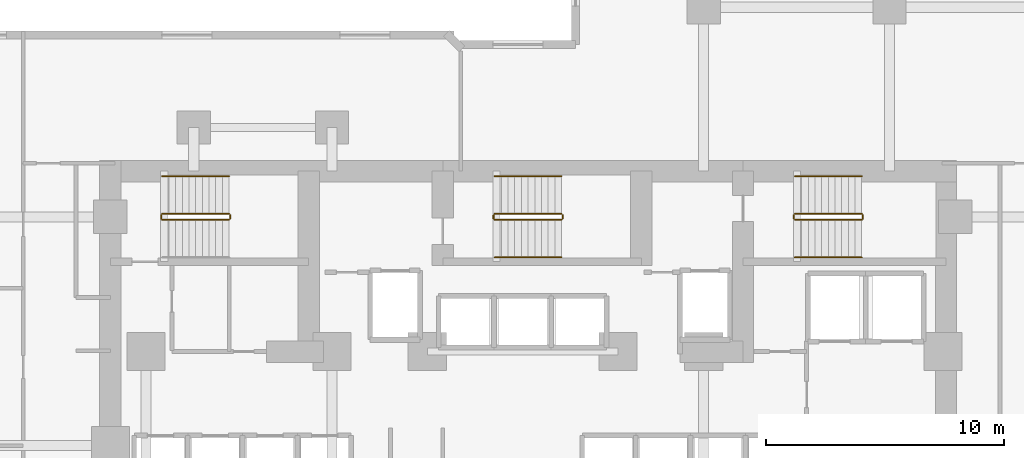
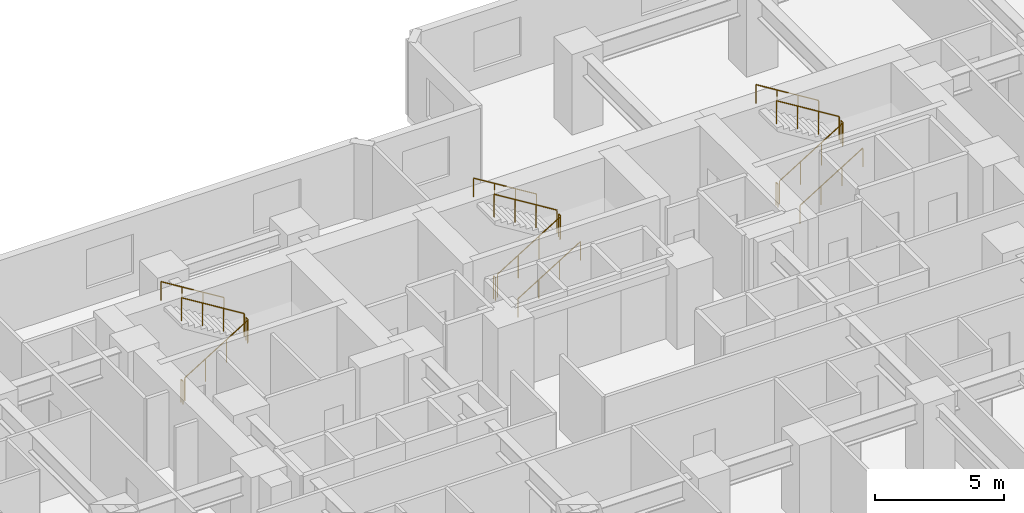
# One storey, part 12 of 12: 17 railings.
"""IFC4 building model written with IfcOpenShell, lengths in metres."""

from ifc_helpers import new_model, si_unit, direction, frame, origin, origin_2d, place, context, subcontext, project, spatial, circle, extrude, material, type_object, element, save


model = new_model("IFC4")

# Units and contexts
model_context = context("Model", 3, precision=1e-05, world=origin(), true_north=direction((0.0, 1.0)))
body_context = subcontext(model_context, "Body", "Model", "MODEL_VIEW")
ifc_project = project(units=[si_unit("LENGTHUNIT", "METRE"), si_unit("AREAUNIT", "SQUARE_METRE"), si_unit("VOLUMEUNIT", "CUBIC_METRE"), si_unit("PLANEANGLEUNIT", "RADIAN"), si_unit("MASSUNIT", "GRAM", prefix="KILO")], contexts=[model_context])

# Site, building, storey
site_placement = place(None, origin())
site = spatial("IfcSite", under=ifc_project, at=site_placement, CompositionType="ELEMENT")
building_placement = place(site_placement, origin())
building = spatial("IfcBuilding", under=site, at=building_placement, Name="Kestravale Grand Hotel", CompositionType="ELEMENT")
storey_placement = place(building_placement, frame((0.0, 0.0, 67.800048828125)))
storey = spatial("IfcBuildingStorey", under=building, at=storey_placement, Name="L16", CompositionType="ELEMENT", Elevation=67.800048828125)

# Railings
ifc_material_1 = material(Name="Painted tubular steel stair well guard", Category="steel")
railing_type_1 = type_object("IfcRailingType", Name="RL-ST-GRD1100", PredefinedType="GUARDRAIL", material=ifc_material_1)
railing_1_placement = place(storey_placement, frame((24.080078125, 38.280029296875, 0.172607421875)))
element("IfcRailing", 1, at=railing_1_placement, inside=storey, type_object=railing_type_1, Name="L16 ST-1 stair guard 1", PredefinedType="GUARDRAIL", context=body_context, shape_type="SweptSolid", body=[
    extrude(circle(Radius=0.02392578125, at=origin_2d()), frame((0.0, 0.0, 1.076171875), z_axis=(0.851069175582, 0.0, 0.525053576669), x_axis=(0.0, 1.0, 0.0)), (0.0, 0.0, 1.0), 3.289794921875),
    extrude(circle(Radius=0.02099609375, at=origin_2d()), origin(), (0.0, 0.0, 1.0), 1.052001953125),
    extrude(circle(Radius=0.02099609375, at=origin_2d()), frame((0.933349609375, 0.0, 0.57568359375)), (0.0, 0.0, 1.0), 1.052001953125),
    extrude(circle(Radius=0.02099609375, at=origin_2d()), frame((1.866455078125, 0.0, 1.151611328125)), (0.0, 0.0, 1.0), 1.052001953125),
    extrude(circle(Radius=0.02099609375, at=origin_2d()), frame((2.7998046875, 0.0, 1.727294921875)), (0.0, 0.0, 1.0), 1.052001953125),
])
railing_2_placement = place(storey_placement, frame((26.929931640625, 38.330078125, 1.89990234375)))
element("IfcRailing", 2, at=railing_2_placement, inside=storey, type_object=railing_type_1, Name="L16 ST-1 stair guard 2", PredefinedType="GUARDRAIL", context=body_context, shape_type="SweptSolid", body=[
    extrude(circle(Radius=0.02392578125, at=origin_2d()), frame((0.0, 0.0, 1.076171875), z_axis=(0.0, 1.0, 0.0), x_axis=(-1.0, 0.0, 0.0)), (0.0, 0.0, 1.0), 0.14990234375),
    extrude(circle(Radius=0.02099609375, at=origin_2d()), origin(), (0.0, 0.0, 1.0), 1.052001953125),
    extrude(circle(Radius=0.02099609375, at=origin_2d()), frame((0.0, 0.14990234375, 0.0)), (0.0, 0.0, 1.0), 1.052001953125),
])
railing_3_placement = place(storey_placement, frame((26.8798828125, 38.530029296875, 2.07275390625)))
element("IfcRailing", 3, at=railing_3_placement, inside=storey, type_object=railing_type_1, Name="L16 ST-1 stair guard 3", PredefinedType="GUARDRAIL", context=body_context, shape_type="SweptSolid", body=[
    extrude(circle(Radius=0.02392578125, at=origin_2d()), frame((0.0, 0.0, 1.076171875), z_axis=(-0.851069175582, 0.0, 0.525053576669), x_axis=(0.0, -1.0, 0.0)), (0.0, 0.0, 1.0), 3.289794921875),
    extrude(circle(Radius=0.02099609375, at=origin_2d()), origin(), (0.0, 0.0, 1.0), 1.052001953125),
    extrude(circle(Radius=0.02099609375, at=origin_2d()), frame((-0.933349609375, 0.0, 0.57568359375)), (0.0, 0.0, 1.0), 1.052001953125),
    extrude(circle(Radius=0.02099609375, at=origin_2d()), frame((-1.866455078125, 0.0, 1.151611328125)), (0.0, 0.0, 1.0), 1.052001953125),
    extrude(circle(Radius=0.02099609375, at=origin_2d()), frame((-2.7998046875, 0.0, 1.727294921875)), (0.0, 0.0, 1.0), 1.052001953125),
])
railing_4_placement = place(storey_placement, frame((24.030029296875, 38.330078125, 0.0)))
element("IfcRailing", 4, at=railing_4_placement, inside=storey, type_object=railing_type_1, Name="L16 ST-1 stair guard 4", PredefinedType="GUARDRAIL", context=body_context, shape_type="SweptSolid", body=[
    extrude(circle(Radius=0.02392578125, at=origin_2d()), frame((0.0, 0.0, 1.076171875), z_axis=(0.0, 1.0, 0.0), x_axis=(-1.0, 0.0, 0.0)), (0.0, 0.0, 1.0), 0.14990234375),
    extrude(circle(Radius=0.02099609375, at=origin_2d()), origin(), (0.0, 0.0, 1.0), 1.052001953125),
    extrude(circle(Radius=0.02099609375, at=origin_2d()), frame((0.0, 0.14990234375, 0.0)), (0.0, 0.0, 1.0), 1.052001953125),
])
railing_5_placement = place(storey_placement, frame((38.030029296875, 38.280029296875, 0.172607421875)))
element("IfcRailing", 5, at=railing_5_placement, inside=storey, type_object=railing_type_1, Name="L16 ST-2 stair guard 1", PredefinedType="GUARDRAIL", context=body_context, shape_type="SweptSolid", body=[
    extrude(circle(Radius=0.02392578125, at=origin_2d()), frame((0.0, 0.0, 1.076171875), z_axis=(0.851089632645, 0.0, 0.525020415988), x_axis=(0.0, 1.0, 0.0)), (0.0, 0.0, 1.0), 3.2900390625),
    extrude(circle(Radius=0.02099609375, at=origin_2d()), origin(), (0.0, 0.0, 1.0), 1.052001953125),
    extrude(circle(Radius=0.02099609375, at=origin_2d()), frame((0.933349609375, 0.0, 0.57568359375)), (0.0, 0.0, 1.0), 1.052001953125),
    extrude(circle(Radius=0.02099609375, at=origin_2d()), frame((1.86669921875, 0.0, 1.151611328125)), (0.0, 0.0, 1.0), 1.052001953125),
    extrude(circle(Radius=0.02099609375, at=origin_2d()), frame((2.800048828125, 0.0, 1.727294921875)), (0.0, 0.0, 1.0), 1.052001953125),
])
railing_6_placement = place(storey_placement, frame((40.8798828125, 38.330078125, 1.89990234375)))
element("IfcRailing", 6, at=railing_6_placement, inside=storey, type_object=railing_type_1, Name="L16 ST-2 stair guard 2", PredefinedType="GUARDRAIL", context=body_context, shape_type="SweptSolid", body=[
    extrude(circle(Radius=0.02392578125, at=origin_2d()), frame((0.0, 0.0, 1.076171875), z_axis=(0.0, 1.0, 0.0), x_axis=(-1.0, 0.0, 0.0)), (0.0, 0.0, 1.0), 0.14990234375),
    extrude(circle(Radius=0.02099609375, at=origin_2d()), origin(), (0.0, 0.0, 1.0), 1.052001953125),
    extrude(circle(Radius=0.02099609375, at=origin_2d()), frame((0.0, 0.14990234375, 0.0)), (0.0, 0.0, 1.0), 1.052001953125),
])
railing_7_placement = place(storey_placement, frame((40.830078125, 38.530029296875, 2.07275390625)))
element("IfcRailing", 7, at=railing_7_placement, inside=storey, type_object=railing_type_1, Name="L16 ST-2 stair guard 3", PredefinedType="GUARDRAIL", context=body_context, shape_type="SweptSolid", body=[
    extrude(circle(Radius=0.02392578125, at=origin_2d()), frame((0.0, 0.0, 1.076171875), z_axis=(-0.851089632645, 0.0, 0.525020415988), x_axis=(0.0, -1.0, 0.0)), (0.0, 0.0, 1.0), 3.2900390625),
    extrude(circle(Radius=0.02099609375, at=origin_2d()), origin(), (0.0, 0.0, 1.0), 1.052001953125),
    extrude(circle(Radius=0.02099609375, at=origin_2d()), frame((-0.933349609375, 0.0, 0.57568359375)), (0.0, 0.0, 1.0), 1.052001953125),
    extrude(circle(Radius=0.02099609375, at=origin_2d()), frame((-1.86669921875, 0.0, 1.151611328125)), (0.0, 0.0, 1.0), 1.052001953125),
    extrude(circle(Radius=0.02099609375, at=origin_2d()), frame((-2.800048828125, 0.0, 1.727294921875)), (0.0, 0.0, 1.0), 1.052001953125),
])
railing_8_placement = place(storey_placement, frame((37.97998046875, 38.330078125, 0.0)))
element("IfcRailing", 8, at=railing_8_placement, inside=storey, type_object=railing_type_1, Name="L16 ST-2 stair guard 4", PredefinedType="GUARDRAIL", context=body_context, shape_type="SweptSolid", body=[
    extrude(circle(Radius=0.02392578125, at=origin_2d()), frame((0.0, 0.0, 1.076171875), z_axis=(0.0, 1.0, 0.0), x_axis=(-1.0, 0.0, 0.0)), (0.0, 0.0, 1.0), 0.14990234375),
    extrude(circle(Radius=0.02099609375, at=origin_2d()), origin(), (0.0, 0.0, 1.0), 1.052001953125),
    extrude(circle(Radius=0.02099609375, at=origin_2d()), frame((0.0, 0.14990234375, 0.0)), (0.0, 0.0, 1.0), 1.052001953125),
])
railing_9_placement = place(storey_placement, frame((50.6298828125, 38.280029296875, 0.172607421875)))
element("IfcRailing", 9, at=railing_9_placement, inside=storey, type_object=railing_type_1, Name="L16 ST-3 stair guard 1", PredefinedType="GUARDRAIL", context=body_context, shape_type="SweptSolid", body=[
    extrude(circle(Radius=0.02392578125, at=origin_2d()), frame((0.0, 0.0, 1.076171875), z_axis=(0.851089632645, 0.0, 0.525020415988), x_axis=(0.0, 1.0, 0.0)), (0.0, 0.0, 1.0), 3.2900390625),
    extrude(circle(Radius=0.02099609375, at=origin_2d()), origin(), (0.0, 0.0, 1.0), 1.052001953125),
    extrude(circle(Radius=0.02099609375, at=origin_2d()), frame((0.933349609375, 0.0, 0.57568359375)), (0.0, 0.0, 1.0), 1.052001953125),
    extrude(circle(Radius=0.02099609375, at=origin_2d()), frame((1.86669921875, 0.0, 1.151611328125)), (0.0, 0.0, 1.0), 1.052001953125),
    extrude(circle(Radius=0.02099609375, at=origin_2d()), frame((2.800048828125, 0.0, 1.727294921875)), (0.0, 0.0, 1.0), 1.052001953125),
])
railing_10_placement = place(storey_placement, frame((53.47998046875, 38.330078125, 1.89990234375)))
element("IfcRailing", 10, at=railing_10_placement, inside=storey, type_object=railing_type_1, Name="L16 ST-3 stair guard 2", PredefinedType="GUARDRAIL", context=body_context, shape_type="SweptSolid", body=[
    extrude(circle(Radius=0.02392578125, at=origin_2d()), frame((0.0, 0.0, 1.076171875), z_axis=(0.0, 1.0, 0.0), x_axis=(-1.0, 0.0, 0.0)), (0.0, 0.0, 1.0), 0.14990234375),
    extrude(circle(Radius=0.02099609375, at=origin_2d()), origin(), (0.0, 0.0, 1.0), 1.052001953125),
    extrude(circle(Radius=0.02099609375, at=origin_2d()), frame((0.0, 0.14990234375, 0.0)), (0.0, 0.0, 1.0), 1.052001953125),
])
railing_11_placement = place(storey_placement, frame((53.429931640625, 38.530029296875, 2.07275390625)))
element("IfcRailing", 11, at=railing_11_placement, inside=storey, type_object=railing_type_1, Name="L16 ST-3 stair guard 3", PredefinedType="GUARDRAIL", context=body_context, shape_type="SweptSolid", body=[
    extrude(circle(Radius=0.02392578125, at=origin_2d()), frame((0.0, 0.0, 1.076171875), z_axis=(-0.851089632645, 0.0, 0.525020415988), x_axis=(0.0, -1.0, 0.0)), (0.0, 0.0, 1.0), 3.2900390625),
    extrude(circle(Radius=0.02099609375, at=origin_2d()), origin(), (0.0, 0.0, 1.0), 1.052001953125),
    extrude(circle(Radius=0.02099609375, at=origin_2d()), frame((-0.933349609375, 0.0, 0.57568359375)), (0.0, 0.0, 1.0), 1.052001953125),
    extrude(circle(Radius=0.02099609375, at=origin_2d()), frame((-1.86669921875, 0.0, 1.151611328125)), (0.0, 0.0, 1.0), 1.052001953125),
    extrude(circle(Radius=0.02099609375, at=origin_2d()), frame((-2.800048828125, 0.0, 1.727294921875)), (0.0, 0.0, 1.0), 1.052001953125),
])
railing_12_placement = place(storey_placement, frame((50.580078125, 38.330078125, 0.0)))
element("IfcRailing", 12, at=railing_12_placement, inside=storey, type_object=railing_type_1, Name="L16 ST-3 stair guard 4", PredefinedType="GUARDRAIL", context=body_context, shape_type="SweptSolid", body=[
    extrude(circle(Radius=0.02392578125, at=origin_2d()), frame((0.0, 0.0, 1.076171875), z_axis=(0.0, 1.0, 0.0), x_axis=(-1.0, 0.0, 0.0)), (0.0, 0.0, 1.0), 0.14990234375),
    extrude(circle(Radius=0.02099609375, at=origin_2d()), origin(), (0.0, 0.0, 1.0), 1.052001953125),
    extrude(circle(Radius=0.02099609375, at=origin_2d()), frame((0.0, 0.14990234375, 0.0)), (0.0, 0.0, 1.0), 1.052001953125),
])
ifc_material_2 = material(Name="Brushed stainless steel wall handrail", Category="steel")
railing_type_2 = type_object("IfcRailingType", Name="RL-ST-HND900", PredefinedType="HANDRAIL", material=ifc_material_2)
railing_13_placement = place(storey_placement, frame((26.8798828125, 40.110107421875, 2.07275390625)))
element("IfcRailing", 13, at=railing_13_placement, inside=storey, type_object=railing_type_2, Name="L16 ST-1 stair handrail 2", PredefinedType="HANDRAIL", context=body_context, shape_type="SweptSolid", body=[
    extrude(circle(Radius=0.02392578125, at=origin_2d()), frame((0.0, 0.0, 0.8759765625), z_axis=(-0.851069175582, 0.0, 0.525053576669), x_axis=(0.0, -1.0, 0.0)), (0.0, 0.0, 1.0), 3.289794921875),
    extrude(circle(Radius=0.02099609375, at=origin_2d()), origin(), (0.0, 0.0, 1.0), 0.851806640625),
    extrude(circle(Radius=0.02099609375, at=origin_2d()), frame((-0.933349609375, 0.0, 0.57568359375)), (0.0, 0.0, 1.0), 0.851806640625),
    extrude(circle(Radius=0.02099609375, at=origin_2d()), frame((-1.866455078125, 0.0, 1.151611328125)), (0.0, 0.0, 1.0), 0.851806640625),
    extrude(circle(Radius=0.02099609375, at=origin_2d()), frame((-2.7998046875, 0.0, 1.727294921875)), (0.0, 0.0, 1.0), 0.851806640625),
])
railing_14_placement = place(storey_placement, frame((38.030029296875, 36.699951171875, 0.172607421875)))
element("IfcRailing", 14, at=railing_14_placement, inside=storey, type_object=railing_type_2, Name="L16 ST-2 stair handrail 1", PredefinedType="HANDRAIL", context=body_context, shape_type="SweptSolid", body=[
    extrude(circle(Radius=0.02392578125, at=origin_2d()), frame((0.0, 0.0, 0.8759765625), z_axis=(0.851089632645, 0.0, 0.525020415988), x_axis=(0.0, 1.0, 0.0)), (0.0, 0.0, 1.0), 3.2900390625),
    extrude(circle(Radius=0.02099609375, at=origin_2d()), origin(), (0.0, 0.0, 1.0), 0.851806640625),
    extrude(circle(Radius=0.02099609375, at=origin_2d()), frame((0.933349609375, 0.0, 0.57568359375)), (0.0, 0.0, 1.0), 0.851806640625),
    extrude(circle(Radius=0.02099609375, at=origin_2d()), frame((1.86669921875, 0.0, 1.151611328125)), (0.0, 0.0, 1.0), 0.851806640625),
    extrude(circle(Radius=0.02099609375, at=origin_2d()), frame((2.800048828125, 0.0, 1.727294921875)), (0.0, 0.0, 1.0), 0.851806640625),
])
railing_15_placement = place(storey_placement, frame((40.830078125, 40.110107421875, 2.07275390625)))
element("IfcRailing", 15, at=railing_15_placement, inside=storey, type_object=railing_type_2, Name="L16 ST-2 stair handrail 2", PredefinedType="HANDRAIL", context=body_context, shape_type="SweptSolid", body=[
    extrude(circle(Radius=0.02392578125, at=origin_2d()), frame((0.0, 0.0, 0.8759765625), z_axis=(-0.851089632645, 0.0, 0.525020415988), x_axis=(0.0, -1.0, 0.0)), (0.0, 0.0, 1.0), 3.2900390625),
    extrude(circle(Radius=0.02099609375, at=origin_2d()), origin(), (0.0, 0.0, 1.0), 0.851806640625),
    extrude(circle(Radius=0.02099609375, at=origin_2d()), frame((-0.933349609375, 0.0, 0.57568359375)), (0.0, 0.0, 1.0), 0.851806640625),
    extrude(circle(Radius=0.02099609375, at=origin_2d()), frame((-1.86669921875, 0.0, 1.151611328125)), (0.0, 0.0, 1.0), 0.851806640625),
    extrude(circle(Radius=0.02099609375, at=origin_2d()), frame((-2.800048828125, 0.0, 1.727294921875)), (0.0, 0.0, 1.0), 0.851806640625),
])
railing_16_placement = place(storey_placement, frame((50.6298828125, 36.699951171875, 0.172607421875)))
element("IfcRailing", 16, at=railing_16_placement, inside=storey, type_object=railing_type_2, Name="L16 ST-3 stair handrail 1", PredefinedType="HANDRAIL", context=body_context, shape_type="SweptSolid", body=[
    extrude(circle(Radius=0.02392578125, at=origin_2d()), frame((0.0, 0.0, 0.8759765625), z_axis=(0.851089632645, 0.0, 0.525020415988), x_axis=(0.0, 1.0, 0.0)), (0.0, 0.0, 1.0), 3.2900390625),
    extrude(circle(Radius=0.02099609375, at=origin_2d()), origin(), (0.0, 0.0, 1.0), 0.851806640625),
    extrude(circle(Radius=0.02099609375, at=origin_2d()), frame((0.933349609375, 0.0, 0.57568359375)), (0.0, 0.0, 1.0), 0.851806640625),
    extrude(circle(Radius=0.02099609375, at=origin_2d()), frame((1.86669921875, 0.0, 1.151611328125)), (0.0, 0.0, 1.0), 0.851806640625),
    extrude(circle(Radius=0.02099609375, at=origin_2d()), frame((2.800048828125, 0.0, 1.727294921875)), (0.0, 0.0, 1.0), 0.851806640625),
])
railing_17_placement = place(storey_placement, frame((53.429931640625, 40.110107421875, 2.07275390625)))
element("IfcRailing", 17, at=railing_17_placement, inside=storey, type_object=railing_type_2, Name="L16 ST-3 stair handrail 2", PredefinedType="HANDRAIL", context=body_context, shape_type="SweptSolid", body=[
    extrude(circle(Radius=0.02392578125, at=origin_2d()), frame((0.0, 0.0, 0.8759765625), z_axis=(-0.851089632645, 0.0, 0.525020415988), x_axis=(0.0, -1.0, 0.0)), (0.0, 0.0, 1.0), 3.2900390625),
    extrude(circle(Radius=0.02099609375, at=origin_2d()), origin(), (0.0, 0.0, 1.0), 0.851806640625),
    extrude(circle(Radius=0.02099609375, at=origin_2d()), frame((-0.933349609375, 0.0, 0.57568359375)), (0.0, 0.0, 1.0), 0.851806640625),
    extrude(circle(Radius=0.02099609375, at=origin_2d()), frame((-1.86669921875, 0.0, 1.151611328125)), (0.0, 0.0, 1.0), 0.851806640625),
    extrude(circle(Radius=0.02099609375, at=origin_2d()), frame((-2.800048828125, 0.0, 1.727294921875)), (0.0, 0.0, 1.0), 0.851806640625),
])

save(model, "model.ifc")
